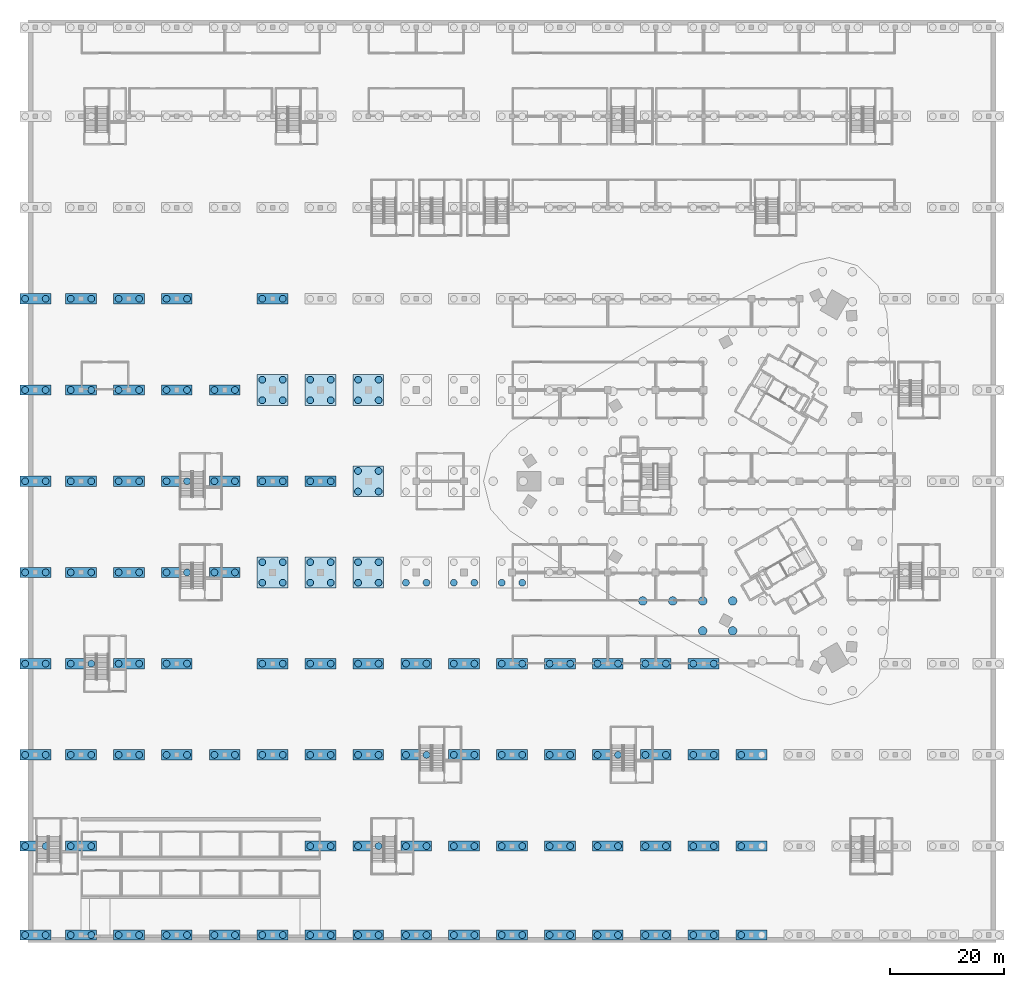
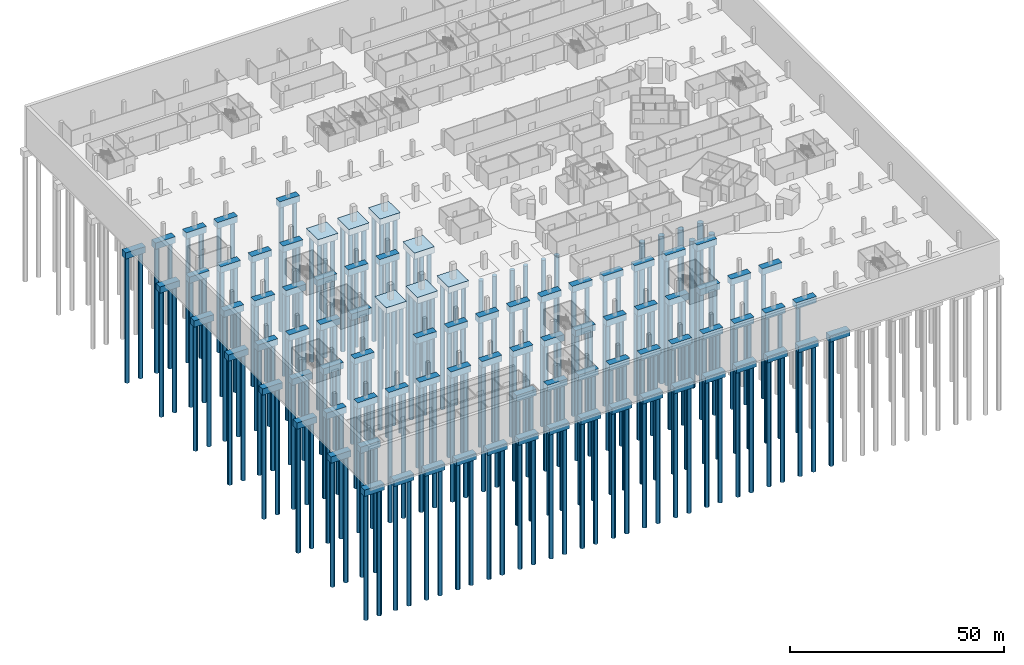
# One storey, part 1 of 46: 197 piles, 87 footings.
"""IFC4 building model written with IfcOpenShell, lengths in metres."""

from ifc_helpers import new_model, si_unit, direction, frame, origin, origin_2d, place, context, subcontext, project, spatial, rectangle, circle, extrude, material, material_profile, profile_set, type_object, element, save


model = new_model("IFC4")

# Units and contexts
model_context = context("Model", 3, precision=1e-05, world=origin(), true_north=direction((0.0, 1.0)))
body_context = subcontext(model_context, "Body", "Model", "MODEL_VIEW")
ifc_project = project(units=[si_unit("LENGTHUNIT", "METRE"), si_unit("AREAUNIT", "SQUARE_METRE"), si_unit("VOLUMEUNIT", "CUBIC_METRE"), si_unit("PLANEANGLEUNIT", "RADIAN"), si_unit("MASSUNIT", "GRAM", prefix="KILO")], contexts=[model_context])

# Site, building, storey
site_placement = place(None, origin())
site = spatial("IfcSite", under=ifc_project, at=site_placement, CompositionType="ELEMENT")
building_placement = place(site_placement, origin())
building = spatial("IfcBuilding", under=site, at=building_placement, Name="Tamra Quay Hotel Tower", CompositionType="ELEMENT")
storey_placement = place(building_placement, frame((0.0, 0.0, -12.0)))
storey = spatial("IfcBuildingStorey", under=building, at=storey_placement, Name="B3", CompositionType="ELEMENT", Elevation=-12.0)

# Piles
ifc_material_1 = material(Name="Concrete M40", Category="concrete")
ifc_material_profile_1 = material_profile(ifc_material_1, circle(Radius=0.60009765625, at=origin_2d()), Name="BORED PILE 1200")
ifc_profile_set_1 = profile_set([ifc_material_profile_1], Name="Concrete M40")
pile_type_1 = type_object("IfcPileType", Name="BORED PILE 1200", PredefinedType="BORED", material=ifc_profile_set_1)
for number, where, z_axis, x_axis, name in (
    (1, (-124.10009765625, -79.60009765625, -1.60009765625), (0.0, 0.0, -1.0), (1.0, 0.0, 0.0), "PILE-BC001-1"),
    (2, (-120.5, -79.60009765625, -1.60009765625), (0.0, 0.0, -1.0), (1.0, 0.0, 0.0), "PILE-BC001-2"),
    (3, (-124.10009765625, -64.0, -1.60009765625), (0.0, 0.0, -1.0), (1.0, 0.0, 0.0), "PILE-BC002-1"),
    (4, (-120.5, -64.0, -1.60009765625), (0.0, 0.0, -1.0), (1.0, 0.0, 0.0), "PILE-BC002-2"),
    (5, (-124.10009765625, -48.0, -1.60009765625), (0.0, 0.0, -1.0), (1.0, 0.0, 0.0), "PILE-BC003-1"),
    (6, (-120.5, -48.0, -1.60009765625), (0.0, 0.0, -1.0), (1.0, 0.0, 0.0), "PILE-BC003-2"),
    (7, (-124.10009765625, -32.0, -1.60009765625), (0.0, 0.0, -1.0), (1.0, 0.0, 0.0), "PILE-BC004-1"),
    (8, (-120.5, -32.0, -1.60009765625), (0.0, 0.0, -1.0), (1.0, 0.0, 0.0), "PILE-BC004-2"),
    (9, (-124.10009765625, -16.0, -1.60009765625), (0.0, 0.0, -1.0), (1.0, 0.0, 0.0), "PILE-BC005-1"),
    (10, (-120.5, -16.0, -1.60009765625), (0.0, 0.0, -1.0), (1.0, 0.0, 0.0), "PILE-BC005-2"),
    (11, (-124.10009765625, 0.0, -1.60009765625), (0.0, 0.0, -1.0), (1.0, 0.0, 0.0), "PILE-BC006-1"),
    (12, (-120.5, 0.0, -1.60009765625), (0.0, 0.0, -1.0), (1.0, 0.0, 0.0), "PILE-BC006-2"),
    (13, (-124.10009765625, 16.0, -1.60009765625), (0.0, 0.0, -1.0), (1.0, 0.0, 0.0), "PILE-BC007-1"),
    (14, (-120.5, 16.0, -1.60009765625), (0.0, 0.0, -1.0), (1.0, 0.0, 0.0), "PILE-BC007-2"),
    (15, (-124.10009765625, 32.0, -1.60009765625), (0.0, 0.0, -1.0), (1.0, 0.0, 0.0), "PILE-BC008-1"),
    (16, (-120.5, 32.0, -1.60009765625), (0.0, 0.0, -1.0), (1.0, 0.0, 0.0), "PILE-BC008-2"),
    (17, (-116.10009765625, -79.60009765625, -1.60009765625), (0.0, 0.0, -1.0), (1.0, 0.0, 0.0), "PILE-BC012-1"),
    (18, (-112.5, -79.60009765625, -1.60009765625), (0.0, 0.0, -1.0), (1.0, 0.0, 0.0), "PILE-BC012-2"),
    (19, (-116.10009765625, -64.0, -1.60009765625), (0.0, 0.0, -1.0), (1.0, 0.0, 0.0), "PILE-BC013-1"),
    (20, (-112.5, -64.0, -1.60009765625), (0.0, 0.0, -1.0), (1.0, 0.0, 0.0), "PILE-BC013-2"),
    (21, (-116.10009765625, -48.0, -1.60009765625), (0.0, 0.0, -1.0), (1.0, 0.0, 0.0), "PILE-BC014-1"),
    (22, (-112.5, -48.0, -1.60009765625), (0.0, 0.0, -1.0), (1.0, 0.0, 0.0), "PILE-BC014-2"),
    (23, (-116.10009765625, -32.0, -1.60009765625), (0.0, 0.0, -1.0), (1.0, 0.0, 0.0), "PILE-BC015-1"),
    (24, (-112.5, -32.0, -1.60009765625), (0.0, 0.0, -1.0), (1.0, 0.0, 0.0), "PILE-BC015-2"),
    (25, (-116.10009765625, -16.0, -1.60009765625), (0.0, 0.0, -1.0), (1.0, 0.0, 0.0), "PILE-BC016-1"),
    (26, (-112.5, -16.0, -1.60009765625), (0.0, 0.0, -1.0), (1.0, 0.0, 0.0), "PILE-BC016-2"),
    (27, (-116.10009765625, 0.0, -1.60009765625), (0.0, 0.0, -1.0), (1.0, 0.0, 0.0), "PILE-BC017-1"),
    (28, (-112.5, 0.0, -1.60009765625), (0.0, 0.0, -1.0), (1.0, 0.0, 0.0), "PILE-BC017-2"),
    (29, (-116.10009765625, 16.0, -1.60009765625), (0.0, 0.0, -1.0), (1.0, 0.0, 0.0), "PILE-BC018-1"),
    (30, (-112.5, 16.0, -1.60009765625), (0.0, 0.0, -1.0), (1.0, 0.0, 0.0), "PILE-BC018-2"),
    (31, (-116.10009765625, 32.0, -1.60009765625), (0.0, 0.0, -1.0), (1.0, 0.0, 0.0), "PILE-BC019-1"),
    (32, (-112.5, 32.0, -1.60009765625), (0.0, 0.0, -1.0), (1.0, 0.0, 0.0), "PILE-BC019-2"),
    (33, (-107.699951171875, -79.60009765625, -1.60009765625), (0.0, 0.0, -1.0), (1.0, 0.0, 0.0), "PILE-BC023-1"),
    (34, (-104.10009765625, -79.60009765625, -1.60009765625), (0.0, 0.0, -1.0), (1.0, 0.0, 0.0), "PILE-BC023-2"),
    (35, (-107.699951171875, -48.0, -1.60009765625), (0.0, 0.0, -1.0), (1.0, 0.0, 0.0), "PILE-BC024-1"),
    (36, (-104.10009765625, -48.0, -1.60009765625), (0.0, 0.0, -1.0), (1.0, 0.0, 0.0), "PILE-BC024-2"),
    (37, (-107.699951171875, -32.0, -1.60009765625), (0.0, 0.0, -1.0), (1.0, 0.0, 0.0), "PILE-BC025-1"),
    (38, (-104.10009765625, -32.0, -1.60009765625), (0.0, 0.0, -1.0), (1.0, 0.0, 0.0), "PILE-BC025-2"),
    (39, (-107.699951171875, -16.0, -1.60009765625), (0.0, 0.0, -1.0), (1.0, 0.0, 0.0), "PILE-BC026-1"),
    (40, (-104.10009765625, -16.0, -1.60009765625), (0.0, 0.0, -1.0), (1.0, 0.0, 0.0), "PILE-BC026-2"),
    (41, (-107.699951171875, 0.0, -1.60009765625), (0.0, 0.0, -1.0), (1.0, 0.0, 0.0), "PILE-BC027-1"),
    (42, (-104.10009765625, 0.0, -1.60009765625), (0.0, 0.0, -1.0), (1.0, 0.0, 0.0), "PILE-BC027-2"),
    (43, (-107.699951171875, 16.0, -1.60009765625), (0.0, 0.0, -1.0), (1.0, 0.0, 0.0), "PILE-BC028-1"),
    (44, (-104.10009765625, 16.0, -1.60009765625), (0.0, 0.0, -1.0), (1.0, 0.0, 0.0), "PILE-BC028-2"),
    (45, (-107.699951171875, 32.0, -1.60009765625), (0.0, 0.0, -1.0), (1.0, 0.0, 0.0), "PILE-BC029-1"),
    (46, (-104.10009765625, 32.0, -1.60009765625), (0.0, 0.0, -1.0), (1.0, 0.0, 0.0), "PILE-BC029-2"),
    (47, (-99.300048828125, -79.60009765625, -1.60009765625), (0.0, 0.0, -1.0), (1.0, 0.0, 0.0), "PILE-BC033-1"),
    (48, (-95.699951171875, -79.60009765625, -1.60009765625), (0.0, 0.0, -1.0), (1.0, 0.0, 0.0), "PILE-BC033-2"),
    (49, (-99.300048828125, -48.0, -1.60009765625), (0.0, 0.0, -1.0), (1.0, 0.0, 0.0), "PILE-BC034-1"),
    (50, (-95.699951171875, -48.0, -1.60009765625), (0.0, 0.0, -1.0), (1.0, 0.0, 0.0), "PILE-BC034-2"),
    (51, (-99.300048828125, -32.0, -1.60009765625), (0.0, 0.0, -1.0), (1.0, 0.0, 0.0), "PILE-BC035-1"),
    (52, (-95.699951171875, -32.0, -1.60009765625), (0.0, 0.0, -1.0), (1.0, 0.0, 0.0), "PILE-BC035-2"),
    (53, (-99.300048828125, -16.0, -1.60009765625), (0.0, 0.0, -1.0), (1.0, 0.0, 0.0), "PILE-BC036-1"),
    (54, (-95.699951171875, -16.0, -1.60009765625), (0.0, 0.0, -1.0), (1.0, 0.0, 0.0), "PILE-BC036-2"),
    (55, (-99.300048828125, 0.0, -1.60009765625), (0.0, 0.0, -1.0), (1.0, 0.0, 0.0), "PILE-BC037-1"),
    (56, (-95.699951171875, 0.0, -1.60009765625), (0.0, 0.0, -1.0), (1.0, 0.0, 0.0), "PILE-BC037-2"),
    (57, (-99.300048828125, 16.0, -1.60009765625), (0.0, 0.0, -1.0), (1.0, 0.0, 0.0), "PILE-BC038-1"),
    (58, (-95.699951171875, 16.0, -1.60009765625), (0.0, 0.0, -1.0), (1.0, 0.0, 0.0), "PILE-BC038-2"),
    (59, (-99.300048828125, 32.0, -1.60009765625), (0.0, 0.0, -1.0), (1.0, 0.0, 0.0), "PILE-BC039-1"),
    (60, (-95.699951171875, 32.0, -1.60009765625), (0.0, 0.0, -1.0), (1.0, 0.0, 0.0), "PILE-BC039-2"),
    (61, (-90.89990234375, -79.60009765625, -1.60009765625), (0.0, 0.0, -1.0), (1.0, 0.0, 0.0), "PILE-BC043-1"),
    (62, (-87.300048828125, -79.60009765625, -1.60009765625), (0.0, 0.0, -1.0), (1.0, 0.0, 0.0), "PILE-BC043-2"),
    (63, (-90.89990234375, -48.0, -1.60009765625), (0.0, 0.0, -1.0), (1.0, 0.0, 0.0), "PILE-BC044-1"),
    (64, (-87.300048828125, -48.0, -1.60009765625), (0.0, 0.0, -1.0), (1.0, 0.0, 0.0), "PILE-BC044-2"),
    (65, (-90.89990234375, -16.0, -1.60009765625), (0.0, 0.0, -1.0), (1.0, 0.0, 0.0), "PILE-BC045-1"),
    (66, (-87.300048828125, -16.0, -1.60009765625), (0.0, 0.0, -1.0), (1.0, 0.0, 0.0), "PILE-BC045-2"),
    (67, (-90.89990234375, 0.0, -1.60009765625), (0.0, 0.0, -1.0), (1.0, 0.0, 0.0), "PILE-BC046-1"),
    (68, (-87.300048828125, 0.0, -1.60009765625), (0.0, 0.0, -1.0), (1.0, 0.0, 0.0), "PILE-BC046-2"),
    (69, (-90.89990234375, 16.0, -1.60009765625), (0.0, 0.0, -1.0), (1.0, 0.0, 0.0), "PILE-BC047-1"),
    (70, (-87.300048828125, 16.0, -1.60009765625), (0.0, 0.0, -1.0), (1.0, 0.0, 0.0), "PILE-BC047-2"),
    (71, (-82.5, -79.60009765625, -1.60009765625), (0.0, 0.0, -1.0), (1.0, 0.0, 0.0), "PILE-BC051-1"),
    (72, (-78.89990234375, -79.60009765625, -1.60009765625), (0.0, 0.0, -1.0), (1.0, 0.0, 0.0), "PILE-BC051-2"),
    (73, (-82.5, -48.0, -1.60009765625), (0.0, 0.0, -1.0), (1.0, 0.0, 0.0), "PILE-BC052-1"),
    (74, (-78.89990234375, -48.0, -1.60009765625), (0.0, 0.0, -1.0), (1.0, 0.0, 0.0), "PILE-BC052-2"),
    (75, (-82.5, -32.0, -1.60009765625), (0.0, 0.0, -1.0), (1.0, 0.0, 0.0), "PILE-BC053-1"),
    (76, (-78.89990234375, -32.0, -1.60009765625), (0.0, 0.0, -1.0), (1.0, 0.0, 0.0), "PILE-BC053-2"),
    (77, (-82.5, -17.800048828125, -1.60009765625), (0.0, 0.0, -1.0), (1.0, 0.0, 0.0), "PILE-BC054-1"),
    (78, (-78.89990234375, -17.800048828125, -1.60009765625), (0.0, 0.0, -1.0), (1.0, 0.0, 0.0), "PILE-BC054-2"),
    (79, (-82.5, -14.199951171875, -1.60009765625), (0.0, 0.0, -1.0), (1.0, 0.0, 0.0), "PILE-BC054-3"),
    (80, (-78.89990234375, -14.199951171875, -1.60009765625), (0.0, 0.0, -1.0), (1.0, 0.0, 0.0), "PILE-BC054-4"),
    (81, (-82.5, 0.0, -1.60009765625), (0.0, 0.0, -1.0), (1.0, 0.0, 0.0), "PILE-BC055-1"),
    (82, (-78.89990234375, 0.0, -1.60009765625), (0.0, 0.0, -1.0), (1.0, 0.0, 0.0), "PILE-BC055-2"),
    (83, (-82.5, 14.199951171875, -1.60009765625), (0.0, 0.0, -1.0), (1.0, 0.0, 0.0), "PILE-BC056-1"),
    (84, (-78.89990234375, 14.199951171875, -1.60009765625), (0.0, 0.0, -1.0), (1.0, 0.0, 0.0), "PILE-BC056-2"),
    (85, (-82.5, 17.800048828125, -1.60009765625), (0.0, 0.0, -1.0), (1.0, 0.0, 0.0), "PILE-BC056-3"),
    (86, (-78.89990234375, 17.800048828125, -1.60009765625), (0.0, 0.0, -1.0), (1.0, 0.0, 0.0), "PILE-BC056-4"),
    (87, (-82.5, 32.0, -1.60009765625), (0.0, 0.0, -1.0), (1.0, 0.0, 0.0), "PILE-BC057-1"),
    (88, (-78.89990234375, 32.0, -1.60009765625), (0.0, 0.0, -1.0), (1.0, 0.0, 0.0), "PILE-BC057-2"),
    (89, (-74.10009765625, -79.60009765625, -1.60009765625), (0.0, 0.0, -1.0), (1.0, 0.0, 0.0), "PILE-BC061-1"),
    (90, (-70.5, -79.60009765625, -1.60009765625), (0.0, 0.0, -1.0), (1.0, 0.0, 0.0), "PILE-BC061-2"),
    (91, (-74.10009765625, -64.0, -1.60009765625), (0.0, 0.0, -1.0), (1.0, 0.0, 0.0), "PILE-BC062-1"),
    (92, (-70.5, -64.0, -1.60009765625), (0.0, 0.0, -1.0), (1.0, 0.0, 0.0), "PILE-BC062-2"),
    (93, (-74.10009765625, -48.0, -1.60009765625), (0.0, 0.0, -1.0), (1.0, 0.0, 0.0), "PILE-BC063-1"),
    (94, (-70.5, -48.0, -1.60009765625), (0.0, 0.0, -1.0), (1.0, 0.0, 0.0), "PILE-BC063-2"),
    (95, (-74.10009765625, -32.0, -1.60009765625), (0.0, 0.0, -1.0), (1.0, 0.0, 0.0), "PILE-BC064-1"),
    (96, (-70.5, -32.0, -1.60009765625), (0.0, 0.0, -1.0), (1.0, 0.0, 0.0), "PILE-BC064-2"),
    (97, (-74.10009765625, -17.800048828125, -1.60009765625), (0.0, 0.0, -1.0), (1.0, 0.0, 0.0), "PILE-BC065-1"),
    (98, (-70.5, -17.800048828125, -1.60009765625), (0.0, 0.0, -1.0), (1.0, 0.0, 0.0), "PILE-BC065-2"),
    (99, (-74.10009765625, -14.199951171875, -1.60009765625), (0.0, 0.0, -1.0), (1.0, 0.0, 0.0), "PILE-BC065-3"),
    (100, (-70.5, -14.199951171875, -1.60009765625), (0.0, 0.0, -1.0), (1.0, 0.0, 0.0), "PILE-BC065-4"),
    (101, (-74.10009765625, 0.0, -1.60009765625), (0.0, 0.0, -1.0), (1.0, 0.0, 0.0), "PILE-BC066-1"),
    (102, (-70.5, 0.0, -1.60009765625), (0.0, 0.0, -1.0), (1.0, 0.0, 0.0), "PILE-BC066-2"),
    (103, (-74.10009765625, 14.199951171875, -1.60009765625), (0.0, 0.0, -1.0), (1.0, 0.0, 0.0), "PILE-BC067-1"),
    (104, (-70.5, 14.199951171875, -1.60009765625), (0.0, 0.0, -1.0), (1.0, 0.0, 0.0), "PILE-BC067-2"),
    (105, (-74.10009765625, 17.800048828125, -1.60009765625), (0.0, 0.0, -1.0), (1.0, 0.0, 0.0), "PILE-BC067-3"),
    (106, (-70.5, 17.800048828125, -1.60009765625), (0.0, 0.0, -1.0), (1.0, 0.0, 0.0), "PILE-BC067-4"),
    (107, (-65.699951171875, -79.60009765625, -1.60009765625), (0.0, 0.0, -1.0), (1.0, 0.0, 0.0), "PILE-BC072-1"),
    (108, (-62.10009765625, -79.60009765625, -1.60009765625), (0.0, 0.0, -1.0), (1.0, 0.0, 0.0), "PILE-BC072-2"),
    (109, (-65.699951171875, -64.0, -1.60009765625), (0.0, 0.0, -1.0), (1.0, 0.0, 0.0), "PILE-BC073-1"),
    (110, (-62.10009765625, -64.0, -1.60009765625), (0.0, 0.0, -1.0), (1.0, 0.0, 0.0), "PILE-BC073-2"),
    (111, (-65.699951171875, -48.0, -1.60009765625), (0.0, 0.0, -1.0), (1.0, 0.0, 0.0), "PILE-BC074-1"),
    (112, (-62.10009765625, -48.0, -1.60009765625), (0.0, 0.0, -1.0), (1.0, 0.0, 0.0), "PILE-BC074-2"),
    (113, (-65.699951171875, -32.0, -1.60009765625), (0.0, 0.0, -1.0), (1.0, 0.0, 0.0), "PILE-BC075-1"),
    (114, (-62.10009765625, -32.0, -1.60009765625), (0.0, 0.0, -1.0), (1.0, 0.0, 0.0), "PILE-BC075-2"),
    (115, (-65.699951171875, -17.800048828125, -1.60009765625), (0.0, 0.0, -1.0), (1.0, 0.0, 0.0), "PILE-BC076-1"),
    (116, (-62.10009765625, -17.800048828125, -1.60009765625), (0.0, 0.0, -1.0), (1.0, 0.0, 0.0), "PILE-BC076-2"),
    (117, (-65.699951171875, -14.199951171875, -1.60009765625), (0.0, 0.0, -1.0), (1.0, 0.0, 0.0), "PILE-BC076-3"),
    (118, (-62.10009765625, -14.199951171875, -1.60009765625), (0.0, 0.0, -1.0), (1.0, 0.0, 0.0), "PILE-BC076-4"),
    (119, (-65.699951171875, -1.800048828125, -1.60009765625), (0.0, 0.0, -1.0), (1.0, 0.0, 0.0), "PILE-BC077-1"),
    (120, (-62.10009765625, -1.800048828125, -1.60009765625), (0.0, 0.0, -1.0), (1.0, 0.0, 0.0), "PILE-BC077-2"),
    (121, (-65.699951171875, 1.800048828125, -1.60009765625), (0.0, 0.0, -1.0), (1.0, 0.0, 0.0), "PILE-BC077-3"),
    (122, (-62.10009765625, 1.800048828125, -1.60009765625), (0.0, 0.0, -1.0), (1.0, 0.0, 0.0), "PILE-BC077-4"),
    (123, (-65.699951171875, 14.199951171875, -1.60009765625), (0.0, 0.0, -1.0), (1.0, 0.0, 0.0), "PILE-BC078-1"),
    (124, (-62.10009765625, 14.199951171875, -1.60009765625), (0.0, 0.0, -1.0), (1.0, 0.0, 0.0), "PILE-BC078-2"),
    (125, (-65.699951171875, 17.800048828125, -1.60009765625), (0.0, 0.0, -1.0), (1.0, 0.0, 0.0), "PILE-BC078-3"),
    (126, (-62.10009765625, 17.800048828125, -1.60009765625), (0.0, 0.0, -1.0), (1.0, 0.0, 0.0), "PILE-BC078-4"),
    (127, (-57.300048828125, -79.60009765625, -1.60009765625), (0.0, 0.0, -1.0), (1.0, 0.0, 0.0), "PILE-BC083-1"),
    (128, (-53.699951171875, -79.60009765625, -1.60009765625), (0.0, 0.0, -1.0), (1.0, 0.0, 0.0), "PILE-BC083-2"),
    (129, (-57.300048828125, -64.0, -1.60009765625), (0.0, 0.0, -1.0), (1.0, 0.0, 0.0), "PILE-BC084-1"),
    (130, (-53.699951171875, -64.0, -1.60009765625), (0.0, 0.0, -1.0), (1.0, 0.0, 0.0), "PILE-BC084-2"),
    (131, (-57.300048828125, -48.0, -1.60009765625), (0.0, 0.0, -1.0), (1.0, 0.0, 0.0), "PILE-BC085-1"),
    (132, (-53.699951171875, -48.0, -1.60009765625), (0.0, 0.0, -1.0), (1.0, 0.0, 0.0), "PILE-BC085-2"),
    (133, (-57.300048828125, -32.0, -1.60009765625), (0.0, 0.0, -1.0), (1.0, 0.0, 0.0), "PILE-BC086-1"),
    (134, (-53.699951171875, -32.0, -1.60009765625), (0.0, 0.0, -1.0), (1.0, 0.0, 0.0), "PILE-BC086-2"),
    (135, (-57.300048828125, -17.800048828125, -1.60009765625), (0.0, 0.0, -1.0), (1.0, 0.0, 0.0), "PILE-BC087-1"),
    (136, (-53.699951171875, -17.800048828125, -1.60009765625), (0.0, 0.0, -1.0), (1.0, 0.0, 0.0), "PILE-BC087-2"),
    (137, (-48.89990234375, -79.60009765625, -1.60009765625), (0.0, 0.0, -1.0), (1.0, 0.0, 0.0), "PILE-BC094-1"),
    (138, (-45.300048828125, -79.60009765625, -1.60009765625), (0.0, 0.0, -1.0), (1.0, 0.0, 0.0), "PILE-BC094-2"),
    (139, (-48.89990234375, -64.0, -1.60009765625), (0.0, 0.0, -1.0), (1.0, 0.0, 0.0), "PILE-BC095-1"),
    (140, (-45.300048828125, -64.0, -1.60009765625), (0.0, 0.0, -1.0), (1.0, 0.0, 0.0), "PILE-BC095-2"),
    (141, (-48.89990234375, -48.0, -1.60009765625), (0.0, 0.0, -1.0), (1.0, 0.0, 0.0), "PILE-BC096-1"),
    (142, (-45.300048828125, -48.0, -1.60009765625), (0.0, 0.0, -1.0), (1.0, 0.0, 0.0), "PILE-BC096-2"),
    (143, (-48.89990234375, -32.0, -1.60009765625), (0.0, 0.0, -1.0), (1.0, 0.0, 0.0), "PILE-BC097-1"),
    (144, (-45.300048828125, -32.0, -1.60009765625), (0.0, 0.0, -1.0), (1.0, 0.0, 0.0), "PILE-BC097-2"),
    (145, (-48.89990234375, -17.800048828125, -1.60009765625), (0.0, 0.0, -1.0), (1.0, 0.0, 0.0), "PILE-BC098-1"),
    (146, (-45.300048828125, -17.800048828125, -1.60009765625), (0.0, 0.0, -1.0), (1.0, 0.0, 0.0), "PILE-BC098-2"),
    (147, (-40.5, -79.60009765625, -1.60009765625), (0.0, 0.0, -1.0), (1.0, 0.0, 0.0), "PILE-BC105-1"),
    (148, (-36.89990234375, -79.60009765625, -1.60009765625), (0.0, 0.0, -1.0), (1.0, 0.0, 0.0), "PILE-BC105-2"),
    (149, (-40.5, -64.0, -1.60009765625), (0.0, 0.0, -1.0), (1.0, 0.0, 0.0), "PILE-BC106-1"),
    (150, (-36.89990234375, -64.0, -1.60009765625), (0.0, 0.0, -1.0), (1.0, 0.0, 0.0), "PILE-BC106-2"),
    (151, (-40.5, -48.0, -1.60009765625), (0.0, 0.0, -1.0), (1.0, 0.0, 0.0), "PILE-BC107-1"),
    (152, (-36.89990234375, -48.0, -1.60009765625), (0.0, 0.0, -1.0), (1.0, 0.0, 0.0), "PILE-BC107-2"),
    (153, (-40.5, -32.0, -1.60009765625), (0.0, 0.0, -1.0), (1.0, 0.0, 0.0), "PILE-BC108-1"),
    (154, (-36.89990234375, -32.0, -1.60009765625), (0.0, 0.0, -1.0), (1.0, 0.0, 0.0), "PILE-BC108-2"),
    (155, (-40.5, -17.800048828125, -1.60009765625), (0.0, 0.0, -1.0), (1.0, 0.0, 0.0), "PILE-BC109-1"),
    (156, (-36.89990234375, -17.800048828125, -1.60009765625), (0.0, 0.0, -1.0), (1.0, 0.0, 0.0), "PILE-BC109-2"),
    (157, (-32.10009765625, -79.60009765625, -1.60009765625), (0.0, 0.0, -1.0), (1.0, 0.0, 0.0), "PILE-BC115-1"),
    (158, (-28.5, -79.60009765625, -1.60009765625), (0.0, 0.0, -1.0), (1.0, 0.0, 0.0), "PILE-BC115-2"),
    (159, (-32.10009765625, -64.0, -1.60009765625), (0.0, 0.0, -1.0), (1.0, 0.0, 0.0), "PILE-BC116-1"),
    (160, (-28.5, -64.0, -1.60009765625), (0.0, 0.0, -1.0), (1.0, 0.0, 0.0), "PILE-BC116-2"),
    (161, (-32.10009765625, -48.0, -1.60009765625), (0.0, 0.0, -1.0), (1.0, 0.0, 0.0), "PILE-BC117-1"),
    (162, (-28.5, -48.0, -1.60009765625), (0.0, 0.0, -1.0), (1.0, 0.0, 0.0), "PILE-BC117-2"),
    (163, (-32.10009765625, -32.0, -1.60009765625), (0.0, 0.0, -1.0), (1.0, 0.0, 0.0), "PILE-BC118-1"),
    (164, (-28.5, -32.0, -1.60009765625), (0.0, 0.0, -1.0), (1.0, 0.0, 0.0), "PILE-BC118-2"),
    (165, (-23.699951171875, -79.60009765625, -1.60009765625), (0.0, 0.0, -1.0), (1.0, 0.0, 0.0), "PILE-BC126-1"),
    (166, (-20.10009765625, -79.60009765625, -1.60009765625), (0.0, 0.0, -1.0), (1.0, 0.0, 0.0), "PILE-BC126-2"),
    (167, (-23.699951171875, -64.0, -1.60009765625), (0.0, 0.0, -1.0), (1.0, 0.0, 0.0), "PILE-BC127-1"),
    (168, (-20.10009765625, -64.0, -1.60009765625), (0.0, 0.0, -1.0), (1.0, 0.0, 0.0), "PILE-BC127-2"),
    (169, (-23.699951171875, -48.0, -1.60009765625), (0.0, 0.0, -1.0), (1.0, 0.0, 0.0), "PILE-BC128-1"),
    (170, (-20.10009765625, -48.0, -1.60009765625), (0.0, 0.0, -1.0), (1.0, 0.0, 0.0), "PILE-BC128-2"),
    (171, (-23.699951171875, -32.0, -1.60009765625), (0.0, 0.0, -1.0), (1.0, 0.0, 0.0), "PILE-BC129-1"),
    (172, (-20.10009765625, -32.0, -1.60009765625), (0.0, 0.0, -1.0), (1.0, 0.0, 0.0), "PILE-BC129-2"),
    (173, (-15.300048828125, -79.60009765625, -1.60009765625), (0.0, 0.0, -1.0), (1.0, 0.0, 0.0), "PILE-BC136-1"),
    (174, (-11.699951171875, -79.60009765625, -1.60009765625), (0.0, 0.0, -1.0), (1.0, 0.0, 0.0), "PILE-BC136-2"),
    (175, (-15.300048828125, -64.0, -1.60009765625), (0.0, 0.0, -1.0), (1.0, 0.0, 0.0), "PILE-BC137-1"),
    (176, (-11.699951171875, -64.0, -1.60009765625), (0.0, 0.0, -1.0), (1.0, 0.0, 0.0), "PILE-BC137-2"),
    (177, (-15.300048828125, -48.0, -1.60009765625), (0.0, 0.0, -1.0), (1.0, 0.0, 0.0), "PILE-BC138-1"),
    (178, (-11.699951171875, -48.0, -1.60009765625), (0.0, 0.0, -1.0), (1.0, 0.0, 0.0), "PILE-BC138-2"),
    (179, (-15.300048828125, -32.0, -1.60009765625), (0.0, 0.0, -1.0), (1.0, 0.0, 0.0), "PILE-BC139-1"),
    (180, (-11.699951171875, -32.0, -1.60009765625), (0.0, 0.0, -1.0), (1.0, 0.0, 0.0), "PILE-BC139-2"),
    (181, (-6.89990234375, -79.60009765625, -1.60009765625), (0.0, 0.0, -1.0), (1.0, 0.0, 0.0), "PILE-BC146-1"),
    (182, (-3.300048828125, -79.60009765625, -1.60009765625), (0.0, 0.0, -1.0), (1.0, 0.0, 0.0), "PILE-BC146-2"),
    (183, (-6.89990234375, -64.0, -1.60009765625), (0.0, 0.0, -1.0), (1.0, 0.0, 0.0), "PILE-BC147-1"),
    (184, (-3.300048828125, -64.0, -1.60009765625), (0.0, 0.0, -1.0), (1.0, 0.0, 0.0), "PILE-BC147-2"),
    (185, (-6.89990234375, -48.0, -1.60009765625), (0.0, 0.0, -1.0), (1.0, 0.0, 0.0), "PILE-BC148-1"),
    (186, (-3.300048828125, -48.0, -1.60009765625), (0.0, 0.0, -1.0), (1.0, 0.0, 0.0), "PILE-BC148-2"),
    (187, (-6.89990234375, -32.0, -1.60009765625), (0.0, 0.0, -1.0), (1.0, 0.0, 0.0), "PILE-BC149-1"),
    (188, (-3.300048828125, -32.0, -1.60009765625), (0.0, 0.0, -1.0), (1.0, 0.0, 0.0), "PILE-BC149-2"),
    (189, (1.5, -79.60009765625, -1.60009765625), (0.0, 0.0, -1.0), (1.0, 0.0, 0.0), "PILE-BC157-1"),
    (190, (1.5, -64.0, -1.60009765625), (0.0, 0.0, -1.0), (1.0, 0.0, 0.0), "PILE-BC158-1"),
    (191, (1.5, -48.0, -1.60009765625), (0.0, 0.0, -1.0), (1.0, 0.0, 0.0), "PILE-BC159-1"),
):
    element("IfcPile", number, at=place(storey_placement, frame(where, z_axis=z_axis, x_axis=x_axis)), inside=storey, type_object=pile_type_1, Name=name, PredefinedType="BORED", context=body_context, shape_type="SweptSolid", body=[
        extrude(circle(Radius=0.60009765625, at=origin_2d()), origin(), (0.0, 0.0, 1.0), 36.0),
    ])
ifc_material_profile_2 = material_profile(ifc_material_1, circle(Radius=0.75, at=origin_2d()), Name="BORED PILE 1500")
ifc_profile_set_2 = profile_set([ifc_material_profile_2], Name="Concrete M40")
pile_type_2 = type_object("IfcPileType", Name="BORED PILE 1500", PredefinedType="BORED", material=ifc_profile_set_2)
for number, where, z_axis, x_axis, name in (
    (192, (-15.75, -21.0, -3.300048828125), (0.0, 0.0, -1.0), (1.0, 0.0, 0.0), "PILE-R022"),
    (193, (-10.5, -21.0, -3.300048828125), (0.0, 0.0, -1.0), (1.0, 0.0, 0.0), "PILE-R031"),
    (194, (-5.25, -26.25, -3.300048828125), (0.0, 0.0, -1.0), (1.0, 0.0, 0.0), "PILE-R040"),
    (195, (-5.25, -21.0, -3.300048828125), (0.0, 0.0, -1.0), (1.0, 0.0, 0.0), "PILE-R041"),
    (196, (0.0, -26.25, -3.300048828125), (0.0, 0.0, -1.0), (1.0, 0.0, 0.0), "PILE-R051"),
    (197, (0.0, -21.0, -3.300048828125), (0.0, 0.0, -1.0), (1.0, 0.0, 0.0), "PILE-R052"),
):
    element("IfcPile", number, at=place(storey_placement, frame(where, z_axis=z_axis, x_axis=x_axis)), inside=storey, type_object=pile_type_2, Name=name, PredefinedType="BORED", context=body_context, shape_type="SweptSolid", body=[
        extrude(circle(Radius=0.75, at=origin_2d()), origin(), (0.0, 0.0, 1.0), 42.0),
    ])

# Footings
ifc_material_2 = material(Name="Concrete M50", Category="concrete")
footing_type_1 = type_object("IfcFootingType", Name="PILE CAP 2 PILES", PredefinedType="PILE_CAP", material=ifc_material_2)
for number, where, z_axis, x_axis, name in (
    (198, (-122.300048828125, -79.60009765625, -1.7998046875), (0.0, 0.0, 1.0), (1.0, 0.0, 0.0), "CAP-BC001"),
    (199, (-122.300048828125, -64.0, -1.7998046875), (0.0, 0.0, 1.0), (1.0, 0.0, 0.0), "CAP-BC002"),
    (200, (-122.300048828125, -48.0, -1.7998046875), (0.0, 0.0, 1.0), (1.0, 0.0, 0.0), "CAP-BC003"),
    (201, (-122.300048828125, -32.0, -1.7998046875), (0.0, 0.0, 1.0), (1.0, 0.0, 0.0), "CAP-BC004"),
    (202, (-122.300048828125, -16.0, -1.7998046875), (0.0, 0.0, 1.0), (1.0, 0.0, 0.0), "CAP-BC005"),
    (203, (-122.300048828125, 0.0, -1.7998046875), (0.0, 0.0, 1.0), (1.0, 0.0, 0.0), "CAP-BC006"),
    (204, (-122.300048828125, 16.0, -1.7998046875), (0.0, 0.0, 1.0), (1.0, 0.0, 0.0), "CAP-BC007"),
    (205, (-122.300048828125, 32.0, -1.7998046875), (0.0, 0.0, 1.0), (1.0, 0.0, 0.0), "CAP-BC008"),
    (206, (-114.300048828125, -79.60009765625, -1.7998046875), (0.0, 0.0, 1.0), (1.0, 0.0, 0.0), "CAP-BC012"),
    (207, (-114.300048828125, -64.0, -1.7998046875), (0.0, 0.0, 1.0), (1.0, 0.0, 0.0), "CAP-BC013"),
    (208, (-114.300048828125, -48.0, -1.7998046875), (0.0, 0.0, 1.0), (1.0, 0.0, 0.0), "CAP-BC014"),
    (209, (-114.300048828125, -32.0, -1.7998046875), (0.0, 0.0, 1.0), (1.0, 0.0, 0.0), "CAP-BC015"),
    (210, (-114.300048828125, -16.0, -1.7998046875), (0.0, 0.0, 1.0), (1.0, 0.0, 0.0), "CAP-BC016"),
    (211, (-114.300048828125, 0.0, -1.7998046875), (0.0, 0.0, 1.0), (1.0, 0.0, 0.0), "CAP-BC017"),
    (212, (-114.300048828125, 16.0, -1.7998046875), (0.0, 0.0, 1.0), (1.0, 0.0, 0.0), "CAP-BC018"),
    (213, (-114.300048828125, 32.0, -1.7998046875), (0.0, 0.0, 1.0), (1.0, 0.0, 0.0), "CAP-BC019"),
    (214, (-105.89990234375, -79.60009765625, -1.7998046875), (0.0, 0.0, 1.0), (1.0, 0.0, 0.0), "CAP-BC023"),
    (215, (-105.89990234375, -48.0, -1.7998046875), (0.0, 0.0, 1.0), (1.0, 0.0, 0.0), "CAP-BC024"),
    (216, (-105.89990234375, -32.0, -1.7998046875), (0.0, 0.0, 1.0), (1.0, 0.0, 0.0), "CAP-BC025"),
    (217, (-105.89990234375, -16.0, -1.7998046875), (0.0, 0.0, 1.0), (1.0, 0.0, 0.0), "CAP-BC026"),
    (218, (-105.89990234375, 0.0, -1.7998046875), (0.0, 0.0, 1.0), (1.0, 0.0, 0.0), "CAP-BC027"),
    (219, (-105.89990234375, 16.0, -1.7998046875), (0.0, 0.0, 1.0), (1.0, 0.0, 0.0), "CAP-BC028"),
    (220, (-105.89990234375, 32.0, -1.7998046875), (0.0, 0.0, 1.0), (1.0, 0.0, 0.0), "CAP-BC029"),
    (221, (-97.5, -79.60009765625, -1.7998046875), (0.0, 0.0, 1.0), (1.0, 0.0, 0.0), "CAP-BC033"),
    (222, (-97.5, -48.0, -1.7998046875), (0.0, 0.0, 1.0), (1.0, 0.0, 0.0), "CAP-BC034"),
    (223, (-97.5, -32.0, -1.7998046875), (0.0, 0.0, 1.0), (1.0, 0.0, 0.0), "CAP-BC035"),
    (224, (-97.5, -16.0, -1.7998046875), (0.0, 0.0, 1.0), (1.0, 0.0, 0.0), "CAP-BC036"),
    (225, (-97.5, 0.0, -1.7998046875), (0.0, 0.0, 1.0), (1.0, 0.0, 0.0), "CAP-BC037"),
    (226, (-97.5, 16.0, -1.7998046875), (0.0, 0.0, 1.0), (1.0, 0.0, 0.0), "CAP-BC038"),
    (227, (-97.5, 32.0, -1.7998046875), (0.0, 0.0, 1.0), (1.0, 0.0, 0.0), "CAP-BC039"),
    (228, (-89.10009765625, -79.60009765625, -1.7998046875), (0.0, 0.0, 1.0), (1.0, 0.0, 0.0), "CAP-BC043"),
    (229, (-89.10009765625, -48.0, -1.7998046875), (0.0, 0.0, 1.0), (1.0, 0.0, 0.0), "CAP-BC044"),
    (230, (-89.10009765625, -16.0, -1.7998046875), (0.0, 0.0, 1.0), (1.0, 0.0, 0.0), "CAP-BC045"),
    (231, (-89.10009765625, 0.0, -1.7998046875), (0.0, 0.0, 1.0), (1.0, 0.0, 0.0), "CAP-BC046"),
    (232, (-89.10009765625, 16.0, -1.7998046875), (0.0, 0.0, 1.0), (1.0, 0.0, 0.0), "CAP-BC047"),
    (233, (-80.699951171875, -79.60009765625, -1.7998046875), (0.0, 0.0, 1.0), (1.0, 0.0, 0.0), "CAP-BC051"),
    (234, (-80.699951171875, -48.0, -1.7998046875), (0.0, 0.0, 1.0), (1.0, 0.0, 0.0), "CAP-BC052"),
    (235, (-80.699951171875, -32.0, -1.7998046875), (0.0, 0.0, 1.0), (1.0, 0.0, 0.0), "CAP-BC053"),
    (236, (-80.699951171875, 0.0, -1.7998046875), (0.0, 0.0, 1.0), (1.0, 0.0, 0.0), "CAP-BC055"),
    (237, (-80.699951171875, 32.0, -1.7998046875), (0.0, 0.0, 1.0), (1.0, 0.0, 0.0), "CAP-BC057"),
    (238, (-72.300048828125, -79.60009765625, -1.7998046875), (0.0, 0.0, 1.0), (1.0, 0.0, 0.0), "CAP-BC061"),
    (239, (-72.300048828125, -64.0, -1.7998046875), (0.0, 0.0, 1.0), (1.0, 0.0, 0.0), "CAP-BC062"),
    (240, (-72.300048828125, -48.0, -1.7998046875), (0.0, 0.0, 1.0), (1.0, 0.0, 0.0), "CAP-BC063"),
    (241, (-72.300048828125, -32.0, -1.7998046875), (0.0, 0.0, 1.0), (1.0, 0.0, 0.0), "CAP-BC064"),
    (242, (-72.300048828125, 0.0, -1.7998046875), (0.0, 0.0, 1.0), (1.0, 0.0, 0.0), "CAP-BC066"),
    (243, (-63.89990234375, -79.60009765625, -1.7998046875), (0.0, 0.0, 1.0), (1.0, 0.0, 0.0), "CAP-BC072"),
    (244, (-63.89990234375, -64.0, -1.7998046875), (0.0, 0.0, 1.0), (1.0, 0.0, 0.0), "CAP-BC073"),
    (245, (-63.89990234375, -48.0, -1.7998046875), (0.0, 0.0, 1.0), (1.0, 0.0, 0.0), "CAP-BC074"),
    (246, (-63.89990234375, -32.0, -1.7998046875), (0.0, 0.0, 1.0), (1.0, 0.0, 0.0), "CAP-BC075"),
    (247, (-55.5, -79.60009765625, -1.7998046875), (0.0, 0.0, 1.0), (1.0, 0.0, 0.0), "CAP-BC083"),
    (248, (-55.5, -64.0, -1.7998046875), (0.0, 0.0, 1.0), (1.0, 0.0, 0.0), "CAP-BC084"),
    (249, (-55.5, -48.0, -1.7998046875), (0.0, 0.0, 1.0), (1.0, 0.0, 0.0), "CAP-BC085"),
    (250, (-55.5, -32.0, -1.7998046875), (0.0, 0.0, 1.0), (1.0, 0.0, 0.0), "CAP-BC086"),
    (251, (-47.10009765625, -79.60009765625, -1.7998046875), (0.0, 0.0, 1.0), (1.0, 0.0, 0.0), "CAP-BC094"),
    (252, (-47.10009765625, -64.0, -1.7998046875), (0.0, 0.0, 1.0), (1.0, 0.0, 0.0), "CAP-BC095"),
    (253, (-47.10009765625, -48.0, -1.7998046875), (0.0, 0.0, 1.0), (1.0, 0.0, 0.0), "CAP-BC096"),
    (254, (-47.10009765625, -32.0, -1.7998046875), (0.0, 0.0, 1.0), (1.0, 0.0, 0.0), "CAP-BC097"),
    (255, (-38.699951171875, -79.60009765625, -1.7998046875), (0.0, 0.0, 1.0), (1.0, 0.0, 0.0), "CAP-BC105"),
    (256, (-38.699951171875, -64.0, -1.7998046875), (0.0, 0.0, 1.0), (1.0, 0.0, 0.0), "CAP-BC106"),
    (257, (-38.699951171875, -48.0, -1.7998046875), (0.0, 0.0, 1.0), (1.0, 0.0, 0.0), "CAP-BC107"),
    (258, (-38.699951171875, -32.0, -1.7998046875), (0.0, 0.0, 1.0), (1.0, 0.0, 0.0), "CAP-BC108"),
    (259, (-30.300048828125, -79.60009765625, -1.7998046875), (0.0, 0.0, 1.0), (1.0, 0.0, 0.0), "CAP-BC115"),
    (260, (-30.300048828125, -64.0, -1.7998046875), (0.0, 0.0, 1.0), (1.0, 0.0, 0.0), "CAP-BC116"),
    (261, (-30.300048828125, -48.0, -1.7998046875), (0.0, 0.0, 1.0), (1.0, 0.0, 0.0), "CAP-BC117"),
    (262, (-30.300048828125, -32.0, -1.7998046875), (0.0, 0.0, 1.0), (1.0, 0.0, 0.0), "CAP-BC118"),
    (263, (-21.89990234375, -79.60009765625, -1.7998046875), (0.0, 0.0, 1.0), (1.0, 0.0, 0.0), "CAP-BC126"),
    (264, (-21.89990234375, -64.0, -1.7998046875), (0.0, 0.0, 1.0), (1.0, 0.0, 0.0), "CAP-BC127"),
    (265, (-21.89990234375, -48.0, -1.7998046875), (0.0, 0.0, 1.0), (1.0, 0.0, 0.0), "CAP-BC128"),
    (266, (-21.89990234375, -32.0, -1.7998046875), (0.0, 0.0, 1.0), (1.0, 0.0, 0.0), "CAP-BC129"),
    (267, (-13.5, -79.60009765625, -1.7998046875), (0.0, 0.0, 1.0), (1.0, 0.0, 0.0), "CAP-BC136"),
    (268, (-13.5, -64.0, -1.7998046875), (0.0, 0.0, 1.0), (1.0, 0.0, 0.0), "CAP-BC137"),
    (269, (-13.5, -48.0, -1.7998046875), (0.0, 0.0, 1.0), (1.0, 0.0, 0.0), "CAP-BC138"),
    (270, (-13.5, -32.0, -1.7998046875), (0.0, 0.0, 1.0), (1.0, 0.0, 0.0), "CAP-BC139"),
    (271, (-5.10009765625, -79.60009765625, -1.7998046875), (0.0, 0.0, 1.0), (1.0, 0.0, 0.0), "CAP-BC146"),
    (272, (-5.10009765625, -64.0, -1.7998046875), (0.0, 0.0, 1.0), (1.0, 0.0, 0.0), "CAP-BC147"),
    (273, (-5.10009765625, -48.0, -1.7998046875), (0.0, 0.0, 1.0), (1.0, 0.0, 0.0), "CAP-BC148"),
    (274, (-5.10009765625, -32.0, -1.7998046875), (0.0, 0.0, 1.0), (1.0, 0.0, 0.0), "CAP-BC149"),
    (275, (3.300048828125, -79.60009765625, -1.7998046875), (0.0, 0.0, 1.0), (1.0, 0.0, 0.0), "CAP-BC157"),
    (276, (3.300048828125, -64.0, -1.7998046875), (0.0, 0.0, 1.0), (1.0, 0.0, 0.0), "CAP-BC158"),
    (277, (3.300048828125, -48.0, -1.7998046875), (0.0, 0.0, 1.0), (1.0, 0.0, 0.0), "CAP-BC159"),
):
    element("IfcFooting", number, at=place(storey_placement, frame(where, z_axis=z_axis, x_axis=x_axis)), inside=storey, type_object=footing_type_1, Name=name, PredefinedType="PILE_CAP", context=body_context, shape_type="SweptSolid", body=[
        extrude(rectangle(XDim=5.39990234375, YDim=1.800048828125, at=origin_2d()), origin(), (0.0, 0.0, 1.0), 1.800048828125),
    ])
footing_type_2 = type_object("IfcFootingType", Name="PILE CAP 4 PILES", PredefinedType="PILE_CAP", material=ifc_material_2)
for number, where, z_axis, x_axis, name in (
    (278, (-80.699951171875, -16.0, -1.7998046875), (0.0, 0.0, 1.0), (1.0, 0.0, 0.0), "CAP-BC054"),
    (279, (-80.699951171875, 16.0, -1.7998046875), (0.0, 0.0, 1.0), (1.0, 0.0, 0.0), "CAP-BC056"),
    (280, (-72.300048828125, -16.0, -1.7998046875), (0.0, 0.0, 1.0), (1.0, 0.0, 0.0), "CAP-BC065"),
    (281, (-72.300048828125, 16.0, -1.7998046875), (0.0, 0.0, 1.0), (1.0, 0.0, 0.0), "CAP-BC067"),
    (282, (-63.89990234375, -16.0, -1.7998046875), (0.0, 0.0, 1.0), (1.0, 0.0, 0.0), "CAP-BC076"),
    (283, (-63.89990234375, 0.0, -1.7998046875), (0.0, 0.0, 1.0), (1.0, 0.0, 0.0), "CAP-BC077"),
    (284, (-63.89990234375, 16.0, -1.7998046875), (0.0, 0.0, 1.0), (1.0, 0.0, 0.0), "CAP-BC078"),
):
    element("IfcFooting", number, at=place(storey_placement, frame(where, z_axis=z_axis, x_axis=x_axis)), inside=storey, type_object=footing_type_2, Name=name, PredefinedType="PILE_CAP", context=body_context, shape_type="SweptSolid", body=[
        extrude(rectangle(XDim=5.39990234375, YDim=5.39990234375, at=origin_2d()), origin(), (0.0, 0.0, 1.0), 1.800048828125),
    ])

save(model, "model.ifc")
